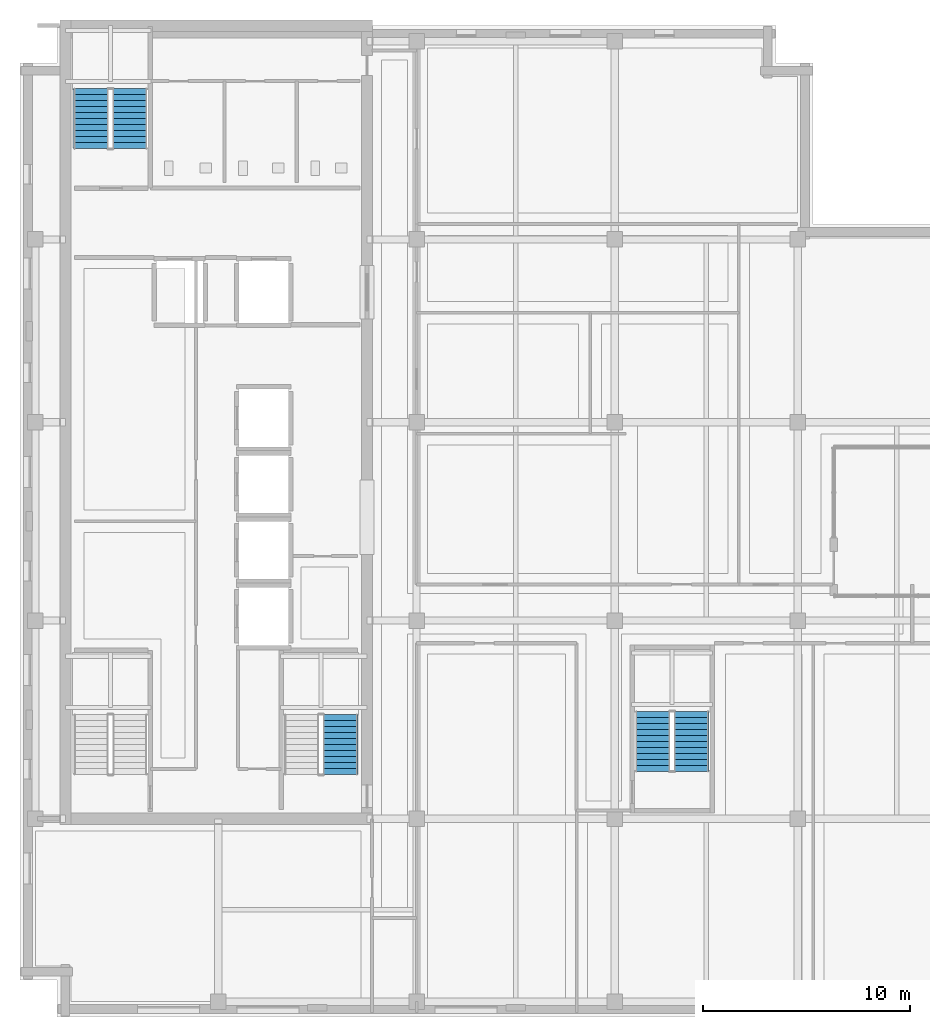
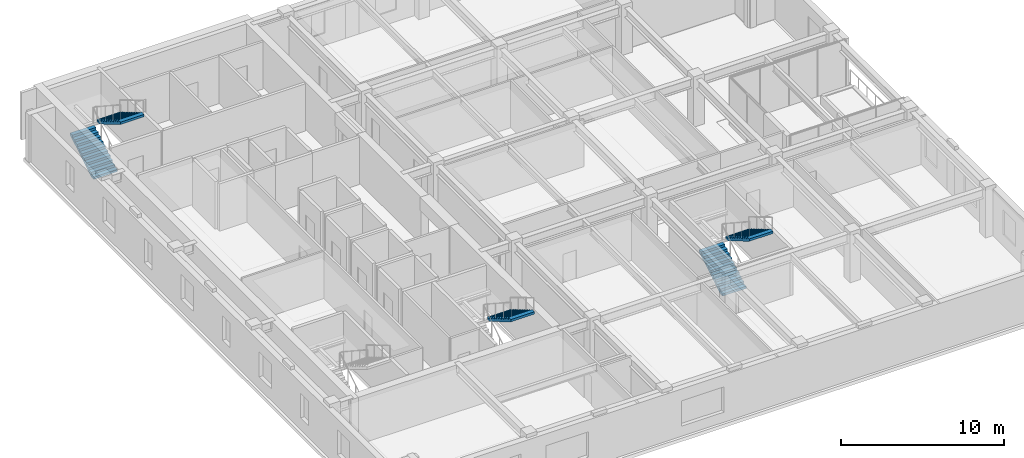
# One storey, part 6 of 13: 5 stair flights, 3 elements without a shape of their own.
"""IFC4 building model written with IfcOpenShell, lengths in metres."""

from ifc_helpers import new_model, si_unit, direction, frame, origin, place, context, subcontext, project, spatial, polyline, outline, extrude, material, type_object, element, aggregate, save


model = new_model("IFC4")

# Units and contexts
model_context = context("Model", 3, precision=1e-05, world=origin(), true_north=direction((0.0, 1.0)))
body_context = subcontext(model_context, "Body", "Model", "MODEL_VIEW")
ifc_project = project(units=[si_unit("LENGTHUNIT", "METRE"), si_unit("AREAUNIT", "SQUARE_METRE"), si_unit("VOLUMEUNIT", "CUBIC_METRE"), si_unit("PLANEANGLEUNIT", "RADIAN"), si_unit("MASSUNIT", "GRAM", prefix="KILO")], contexts=[model_context])

# Site, building, storey
site_placement = place(None, origin())
site = spatial("IfcSite", under=ifc_project, at=site_placement, CompositionType="ELEMENT")
building_placement = place(site_placement, origin())
building = spatial("IfcBuilding", under=site, at=building_placement, Name="Norrvale University Quadrangle", CompositionType="ELEMENT")
storey_placement = place(building_placement, frame((0.0, 0.0, 277.199951171875)))
storey = spatial("IfcBuildingStorey", under=building, at=storey_placement, Name="L70", CompositionType="ELEMENT", Elevation=277.199951171875)

# Stair, stair flights
ifc_material = material(Name="Concrete C40/50", Category="concrete")
stair_type = type_object("IfcStairType", Name="Stair Tower Typ 3800", PredefinedType="TWO_STRAIGHT_RUN_STAIR", material=ifc_material)
stair_1_placement = place(storey_placement, origin())
stair_1 = element("IfcStair", 1, at=stair_1_placement, inside=storey, type_object=stair_type, Name="Exit Stair ST-02 L70", PredefinedType="TWO_STRAIGHT_RUN_STAIR")
stair_flight_type = type_object("IfcStairFlightType", Name="Flight Typ 1500", PredefinedType="STRAIGHT", material=ifc_material)
stair_flight_1_placement = place(storey_placement, frame((3.429931640625, 42.050048828125, 0.0), z_axis=(0.0, 0.0, 1.0), x_axis=(0.0, 1.0, 0.0)))
stair_flight_1 = element("IfcStairFlight", 2, at=stair_flight_1_placement, type_object=stair_flight_type, Name="Exit Stair ST-02 L70 Lower Flight", NumberOfRisers=11, NumberOfTreads=10, PredefinedType="STRAIGHT", RiserHeight=0.172727, TreadLength=0.29, context=body_context, shape_type="SweptSolid", body=[
    extrude(outline(polyline([(0.0, 0.0), (0.0, 0.172607421875), (0.2900390625, 0.172607421875), (0.2900390625, 0.345458984375), (0.580078125, 0.345458984375), (0.580078125, 0.51806640625), (0.8701171875, 0.51806640625), (0.8701171875, 0.69091796875), (1.159912109375, 0.69091796875), (1.159912109375, 0.863525390625), (1.449951171875, 0.863525390625), (1.449951171875, 1.036376953125), (1.739990234375, 1.036376953125), (1.739990234375, 1.208984375), (2.030029296875, 1.208984375), (2.030029296875, 1.3818359375), (2.320068359375, 1.3818359375), (2.320068359375, 1.554443359375), (2.610107421875, 1.554443359375), (2.610107421875, 1.727294921875), (2.89990234375, 1.727294921875), (2.89990234375, 1.89990234375), (2.89990234375, 1.552734375), (0.29296875, 0.0), (0.0, 0.0)])), frame((0.0, 0.83984375, 0.0), z_axis=(0.0, -1.0, 0.0), x_axis=(1.0, 0.0, 0.0)), (0.0, 0.0, 1.0), 1.679931640625),
])
stair_flight_2_placement = place(storey_placement, frame((5.320068359375, 44.949951171875, 1.900146484375), z_axis=(0.0, 0.0, 1.0), x_axis=(0.0, -1.0, 0.0)))
stair_flight_2 = element("IfcStairFlight", 3, at=stair_flight_2_placement, type_object=stair_flight_type, Name="Exit Stair ST-02 L70 Upper Flight", NumberOfRisers=11, NumberOfTreads=10, PredefinedType="STRAIGHT", RiserHeight=0.172727, TreadLength=0.29, context=body_context, shape_type="SweptSolid", body=[
    extrude(outline(polyline([(0.0, 0.0), (0.0, 0.172607421875), (0.2900390625, 0.172607421875), (0.2900390625, 0.345458984375), (0.580078125, 0.345458984375), (0.580078125, 0.51806640625), (0.8701171875, 0.51806640625), (0.8701171875, 0.69091796875), (1.159912109375, 0.69091796875), (1.159912109375, 0.863525390625), (1.449951171875, 0.863525390625), (1.449951171875, 1.036376953125), (1.739990234375, 1.036376953125), (1.739990234375, 1.208984375), (2.030029296875, 1.208984375), (2.030029296875, 1.3818359375), (2.320068359375, 1.3818359375), (2.320068359375, 1.554443359375), (2.610107421875, 1.554443359375), (2.610107421875, 1.727294921875), (2.89990234375, 1.727294921875), (2.89990234375, 1.89990234375), (2.89990234375, 1.552734375), (0.29296875, 0.0), (0.0, 0.0)])), frame((0.0, 0.83984375, 0.0), z_axis=(0.0, -1.0, 0.0), x_axis=(1.0, 0.0, 0.0)), (0.0, 0.0, 1.0), 1.679931640625),
])
aggregate(stair_1, [stair_flight_1, stair_flight_2])

# Stair, stair flight
stair_2_placement = place(storey_placement, origin())
stair_2 = element("IfcStair", 4, at=stair_2_placement, inside=storey, type_object=stair_type, Name="Exit Stair ST-03 L70", PredefinedType="TWO_STRAIGHT_RUN_STAIR")
stair_flight_3_placement = place(storey_placement, frame((15.52001953125, 14.64990234375, 1.900146484375), z_axis=(0.0, 0.0, 1.0), x_axis=(0.0, -1.0, 0.0)))
stair_flight_3 = element("IfcStairFlight", 5, at=stair_flight_3_placement, type_object=stair_flight_type, Name="Exit Stair ST-03 L70 Upper Flight", NumberOfRisers=11, NumberOfTreads=10, PredefinedType="STRAIGHT", RiserHeight=0.172727, TreadLength=0.29, context=body_context, shape_type="SweptSolid", body=[
    extrude(outline(polyline([(0.0, 0.0), (0.0, 0.172607421875), (0.2900390625, 0.172607421875), (0.2900390625, 0.345458984375), (0.580078125, 0.345458984375), (0.580078125, 0.51806640625), (0.8701171875, 0.51806640625), (0.8701171875, 0.69091796875), (1.159912109375, 0.69091796875), (1.159912109375, 0.863525390625), (1.449951171875, 0.863525390625), (1.449951171875, 1.036376953125), (1.739990234375, 1.036376953125), (1.739990234375, 1.208984375), (2.030029296875, 1.208984375), (2.030029296875, 1.3818359375), (2.320068359375, 1.3818359375), (2.320068359375, 1.554443359375), (2.610107421875, 1.554443359375), (2.610107421875, 1.727294921875), (2.89990234375, 1.727294921875), (2.89990234375, 1.89990234375), (2.89990234375, 1.552734375), (0.29296875, 0.0), (0.0, 0.0)])), frame((0.0, 0.83984375, 0.0), z_axis=(0.0, -1.0, 0.0), x_axis=(1.0, 0.0, 0.0)), (0.0, 0.0, 1.0), 1.679931640625),
])
aggregate(stair_2, [stair_flight_3])

# Stair, stair flights
stair_3_placement = place(storey_placement, origin())
stair_3 = element("IfcStair", 6, at=stair_3_placement, inside=storey, type_object=stair_type, Name="Exit Stair ST-04 L70", PredefinedType="TWO_STRAIGHT_RUN_STAIR")
stair_flight_4_placement = place(storey_placement, frame((30.6298828125, 11.89990234375, 0.0), z_axis=(0.0, 0.0, 1.0), x_axis=(0.0, 1.0, 0.0)))
stair_flight_4 = element("IfcStairFlight", 7, at=stair_flight_4_placement, type_object=stair_flight_type, Name="Exit Stair ST-04 L70 Lower Flight", NumberOfRisers=11, NumberOfTreads=10, PredefinedType="STRAIGHT", RiserHeight=0.172727, TreadLength=0.29, context=body_context, shape_type="SweptSolid", body=[
    extrude(outline(polyline([(0.0, 0.0), (0.0, 0.172607421875), (0.2900390625, 0.172607421875), (0.2900390625, 0.345458984375), (0.580078125, 0.345458984375), (0.580078125, 0.51806640625), (0.8701171875, 0.51806640625), (0.8701171875, 0.69091796875), (1.159912109375, 0.69091796875), (1.159912109375, 0.863525390625), (1.449951171875, 0.863525390625), (1.449951171875, 1.036376953125), (1.739990234375, 1.036376953125), (1.739990234375, 1.208984375), (2.030029296875, 1.208984375), (2.030029296875, 1.3818359375), (2.320068359375, 1.3818359375), (2.320068359375, 1.554443359375), (2.610107421875, 1.554443359375), (2.610107421875, 1.727294921875), (2.89990234375, 1.727294921875), (2.89990234375, 1.89990234375), (2.89990234375, 1.552734375), (0.29296875, 0.0), (0.0, 0.0)])), frame((0.0, 0.83984375, 0.0), z_axis=(0.0, -1.0, 0.0), x_axis=(1.0, 0.0, 0.0)), (0.0, 0.0, 1.0), 1.679931640625),
])
stair_flight_5_placement = place(storey_placement, frame((32.52001953125, 14.800048828125, 1.900146484375), z_axis=(0.0, 0.0, 1.0), x_axis=(0.0, -1.0, 0.0)))
stair_flight_5 = element("IfcStairFlight", 8, at=stair_flight_5_placement, type_object=stair_flight_type, Name="Exit Stair ST-04 L70 Upper Flight", NumberOfRisers=11, NumberOfTreads=10, PredefinedType="STRAIGHT", RiserHeight=0.172727, TreadLength=0.29, context=body_context, shape_type="SweptSolid", body=[
    extrude(outline(polyline([(0.0, 0.0), (0.0, 0.172607421875), (0.2900390625, 0.172607421875), (0.2900390625, 0.345458984375), (0.580078125, 0.345458984375), (0.580078125, 0.51806640625), (0.8701171875, 0.51806640625), (0.8701171875, 0.69091796875), (1.159912109375, 0.69091796875), (1.159912109375, 0.863525390625), (1.449951171875, 0.863525390625), (1.449951171875, 1.036376953125), (1.739990234375, 1.036376953125), (1.739990234375, 1.208984375), (2.030029296875, 1.208984375), (2.030029296875, 1.3818359375), (2.320068359375, 1.3818359375), (2.320068359375, 1.554443359375), (2.610107421875, 1.554443359375), (2.610107421875, 1.727294921875), (2.89990234375, 1.727294921875), (2.89990234375, 1.89990234375), (2.89990234375, 1.552734375), (0.29296875, 0.0), (0.0, 0.0)])), frame((0.0, 0.83984375, 0.0), z_axis=(0.0, -1.0, 0.0), x_axis=(1.0, 0.0, 0.0)), (0.0, 0.0, 1.0), 1.679931640625),
])
aggregate(stair_3, [stair_flight_4, stair_flight_5])

save(model, "model.ifc")
